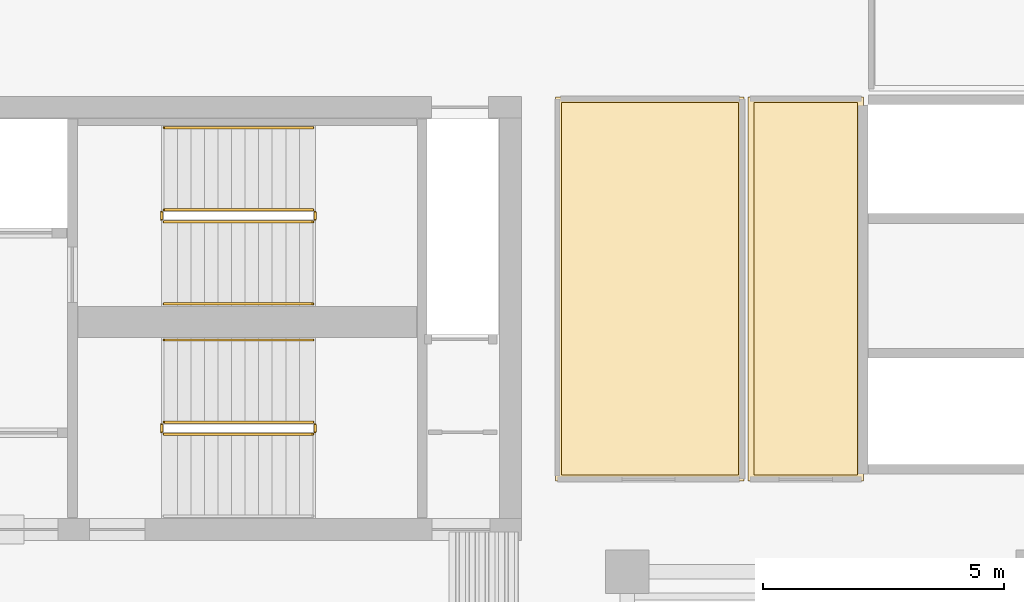
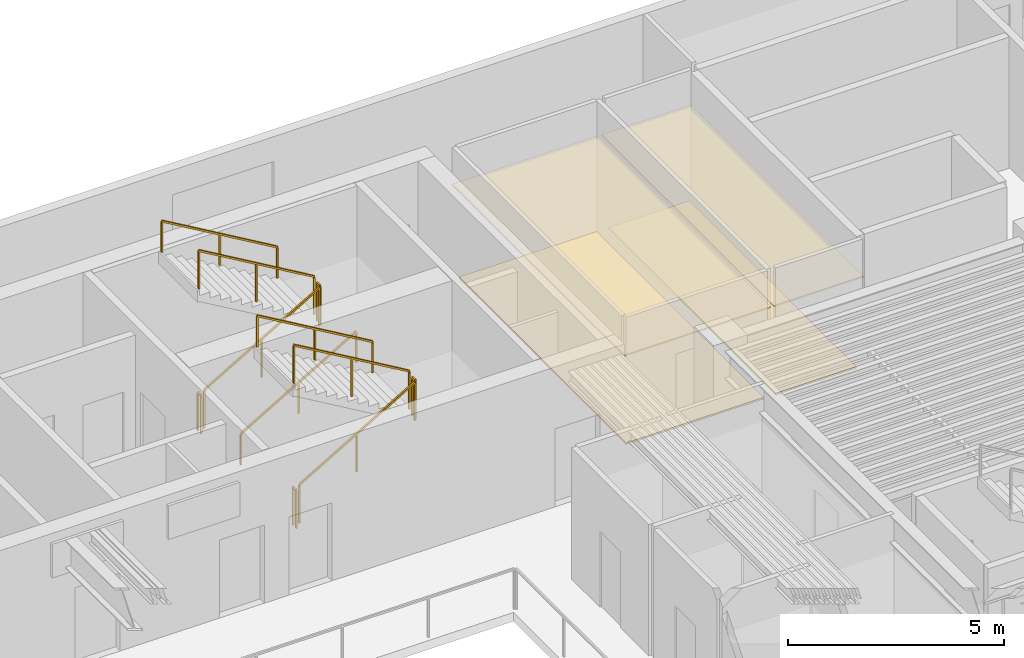
# One storey, part 9 of 10: 11 railings, 4 coverings.
"""IFC4 building model written with IfcOpenShell, lengths in metres."""

import ifcopenshell
import ifcopenshell.guid

model = None  # the IFC model being written
_history = None  # IfcOwnerHistory: only IFC2X3 demands one
_inside = {}  # id of a spatial element -> (the spatial element, [elements in it])
_under = {}  # id of a project, library or spatial element -> (it, [spatial elements below it])
_declared = {}  # id of a project -> (the project, [libraries it declares])
_typed = {}  # id of a type object -> (the type object, [elements of that type])
_made_of = {}  # id of a material, layer set ... -> (it, [elements and type objects made of it])


def new_model(schema):
    """Start an empty IFC model of exactly this schema.

    Asked for "IFC4X3", IfcOpenShell would pick the latest addendum, in which some entities
    have other attributes; the version numbers below select the first issue.
    IFC2X3 requires an IfcOwnerHistory on every rooted entity: one is made here for all.
    """
    global model, _history
    if schema == "IFC4X3":
        model = ifcopenshell.file(schema_version=(4, 3, 0, 0))
    else:
        model = ifcopenshell.file(schema=schema)
    _inside.clear()
    _under.clear()
    _declared.clear()
    _typed.clear()
    _made_of.clear()
    _history = None
    if model.schema == "IFC2X3":
        org = make("IfcOrganization", Name="unknown")
        user = make(
            "IfcPersonAndOrganization",
            ThePerson=make("IfcPerson", FamilyName="unknown"),
            TheOrganization=org,
        )
        app = make(
            "IfcApplication",
            ApplicationDeveloper=org,
            Version="unknown",
            ApplicationFullName="unknown",
            ApplicationIdentifier="unknown",
        )
        _history = make(
            "IfcOwnerHistory",
            OwningUser=user,
            OwningApplication=app,
            ChangeAction="ADDED",
            CreationDate=0,
        )
    return model


def make(cls, **values):
    """One entity of the class cls with the attributes given. An attribute that is None is left unset."""
    return model.create_entity(
        cls, **{name: value for name, value in values.items() if value is not None}
    )


def rooted(cls, **values):
    """An entity with a GlobalId (a new one), such as an element, a storey or a relation."""
    return make(cls, GlobalId=ifcopenshell.guid.new(), OwnerHistory=_history, **values)


def si_unit(unit_type, name, prefix=None):
    """IfcSIUnit, for example si_unit("LENGTHUNIT", "METRE", prefix="MILLI")."""
    return make("IfcSIUnit", UnitType=unit_type, Prefix=prefix, Name=name)


def assignment(units):
    """IfcUnitAssignment: the units of a project."""
    return None if units is None else make("IfcUnitAssignment", Units=units)


def point(xyz):
    """IfcCartesianPoint."""
    return None if xyz is None else make("IfcCartesianPoint", Coordinates=xyz)


def direction(xyz):
    """IfcDirection."""
    return None if xyz is None else make("IfcDirection", DirectionRatios=xyz)


def frame(location, z_axis=None, x_axis=None):
    """IfcAxis2Placement3D, a coordinate frame: its origin and axes. An axis left out is left unset."""
    return make(
        "IfcAxis2Placement3D",
        Location=point(location),
        Axis=direction(z_axis),
        RefDirection=direction(x_axis),
    )


def frame_2d(location, x_axis=None):
    """IfcAxis2Placement2D, a coordinate frame in the plane: its origin and x axis."""
    return make(
        "IfcAxis2Placement2D", Location=point(location), RefDirection=direction(x_axis)
    )


def origin():
    """The frame at (0, 0, 0) with its axes left unset."""
    return frame((0.0, 0.0, 0.0))


def origin_2d():
    """The frame at (0, 0) in the plane with its x axis left unset."""
    return frame_2d((0.0, 0.0))


def place(relative_to, where):
    """IfcLocalPlacement: puts the frame where relative to a parent placement (None: the world)."""
    return make(
        "IfcLocalPlacement", PlacementRelTo=relative_to, RelativePlacement=where
    )


def context(
    kind, dimensions, precision=None, world=None, true_north=None, identifier=None
):
    """IfcGeometricRepresentationContext, for example the 3D "Model" context."""
    return make(
        "IfcGeometricRepresentationContext",
        ContextIdentifier=identifier,
        ContextType=kind,
        CoordinateSpaceDimension=dimensions,
        Precision=precision,
        WorldCoordinateSystem=world,
        TrueNorth=true_north,
    )


def subcontext(parent, identifier, kind, view, scale=None):
    """IfcGeometricRepresentationSubContext, for example "Body" below "Model"."""
    return make(
        "IfcGeometricRepresentationSubContext",
        ContextIdentifier=identifier,
        ContextType=kind,
        ParentContext=parent,
        TargetScale=scale,
        TargetView=view,
    )


def project(units=None, contexts=None):
    """IfcProject with its units and contexts."""
    return rooted(
        "IfcProject",
        Name="project",
        RepresentationContexts=contexts,
        UnitsInContext=assignment(units),
    )


def spatial(cls, under=None, at=None, **own):
    """A site, building, storey or space (cls), placed at a placement, below another one or the project."""
    s = rooted(cls, ObjectPlacement=at, **own)
    if under is not None:
        _under.setdefault(under.id(), (under, []))[1].append(s)
    return s


def polyline(points):
    """IfcPolyline through the points."""
    return make("IfcPolyline", Points=[point(p) for p in points])


def profile(cls, at=None, kind="AREA", **sizes):
    """A parametric profile (cls). Its sizes go by their IFC names, for example OverallWidth=200.0."""
    return make(cls, ProfileType=kind, Position=at, **sizes)


def rectangle(**sizes):
    """IfcRectangleProfileDef."""
    return profile("IfcRectangleProfileDef", **sizes)


def outline(outer, holes=None, kind="AREA"):
    """IfcArbitraryClosedProfileDef: a profile drawn as a closed curve; with holes, ...WithVoids."""
    if holes is None:
        return make("IfcArbitraryClosedProfileDef", ProfileType=kind, OuterCurve=outer)
    return make(
        "IfcArbitraryProfileDefWithVoids",
        ProfileType=kind,
        OuterCurve=outer,
        InnerCurves=holes,
    )


def extrude(swept, where, along, depth):
    """IfcExtrudedAreaSolid: the profile swept, set in the frame where, extruded along a direction by depth."""
    return make(
        "IfcExtrudedAreaSolid",
        SweptArea=swept,
        Position=where,
        ExtrudedDirection=direction(along),
        Depth=depth,
    )


def shape(context_of_items, identifier, shape_type, items):
    """IfcShapeRepresentation: the items that make up one representation, for example the "Body"."""
    return make(
        "IfcShapeRepresentation",
        ContextOfItems=context_of_items,
        RepresentationIdentifier=identifier,
        RepresentationType=shape_type,
        Items=items,
    )


def material(Name=None, Category=None):
    """IfcMaterial."""
    return make("IfcMaterial", Name=Name, Category=Category)


def layer(
    of_material, thickness, ventilated=None, Name=None, Category=None, Priority=None
):
    """IfcMaterialLayer: one layer of a wall or slab, of a material (None: an air gap)."""
    return make(
        "IfcMaterialLayer",
        Material=of_material,
        LayerThickness=thickness,
        IsVentilated=ventilated,
        Name=Name,
        Category=Category,
        Priority=Priority,
    )


def layer_set(layers, Name=None):
    """IfcMaterialLayerSet."""
    return make("IfcMaterialLayerSet", MaterialLayers=layers, LayerSetName=Name)


def made_of(thing, what):
    """Note that an element or type object is made of a material, layer set ...; save() writes the relation."""
    if what is not None:
        _made_of.setdefault(what.id(), (what, []))[1].append(thing)
    return thing


def type_object(cls, material=None, **own):
    """A type object (cls), such as IfcWallType, which elements share."""
    return made_of(rooted(cls, **own), material)


def element(
    cls,
    number,
    at=None,
    inside=None,
    cuts=None,
    type_object=None,
    material=None,
    context=None,
    identifier="Body",
    shape_type=None,
    held_by="IfcProductDefinitionShape",
    body=None,
    shapes=None,
    **own,
):
    """One element of the class cls, such as IfcWall. Its Tag is "e" and its number.

    at: its placement. inside: the storey or other place that contains it. cuts: it is an
    opening in that element (IfcRelVoidsElement). A single representation is given by context,
    identifier, shape_type and body (its items); several are given by shapes. held_by: the class
    of the entity that holds the representations. save() writes the other relations.
    """
    e = rooted(cls, Tag="e%d" % number, ObjectPlacement=at, **own)
    if body is not None:
        shapes = [shape(context, identifier, shape_type, body)]
    if shapes is not None:
        e.Representation = make(held_by, Representations=shapes)
    if inside is not None:
        _inside.setdefault(inside.id(), (inside, []))[1].append(e)
    if cuts is not None:
        rooted(
            "IfcRelVoidsElement", RelatingBuildingElement=cuts, RelatedOpeningElement=e
        )
    if type_object is not None:
        _typed.setdefault(type_object.id(), (type_object, []))[1].append(e)
    return made_of(e, material)


def aggregate(whole, parts):
    """IfcRelAggregates: a whole, such as a stair, and the parts it consists of."""
    return rooted("IfcRelAggregates", RelatingObject=whole, RelatedObjects=parts)


def save(model, path):
    """Write the relations noted so far, then the file.

    IfcRelAggregates (storeys below a building ...), IfcRelContainedInSpatialStructure (elements
    in a storey), IfcRelDefinesByType, IfcRelAssociatesMaterial and IfcRelDeclares: one each for
    every whole, place, type object, material and project.
    """
    for whole, parts in _under.values():
        aggregate(whole, parts)
    for where, things in _inside.values():
        rooted(
            "IfcRelContainedInSpatialStructure",
            RelatedElements=things,
            RelatingStructure=where,
        )
    for kind, things in _typed.values():
        rooted("IfcRelDefinesByType", RelatedObjects=things, RelatingType=kind)
    for what, things in _made_of.values():
        rooted("IfcRelAssociatesMaterial", RelatedObjects=things, RelatingMaterial=what)
    for by, libraries in _declared.values():
        rooted("IfcRelDeclares", RelatingContext=by, RelatedDefinitions=libraries)
    model.write(path)


model = new_model("IFC4")

# Units and contexts
model_context = context("Model", 3, precision=1e-05, world=origin(), true_north=direction((0.0, 1.0)))
body_context = subcontext(model_context, "Body", "Model", "MODEL_VIEW")
ifc_project = project(units=[si_unit("LENGTHUNIT", "METRE"), si_unit("AREAUNIT", "SQUARE_METRE"), si_unit("VOLUMEUNIT", "CUBIC_METRE"), si_unit("PLANEANGLEUNIT", "RADIAN"), si_unit("MASSUNIT", "GRAM", prefix="KILO")], contexts=[model_context])

# Site, building, storey
site_placement = place(None, origin())
site = spatial("IfcSite", under=ifc_project, at=site_placement, CompositionType="ELEMENT")
building_placement = place(site_placement, origin())
building = spatial("IfcBuilding", under=site, at=building_placement, Name="Caeloran Harvest Quay", CompositionType="ELEMENT")
storey_placement = place(building_placement, frame((0.0, 0.0, 183.75)))
storey = spatial("IfcBuildingStorey", under=building, at=storey_placement, Name="L43", CompositionType="ELEMENT", Elevation=183.75)

# Coverings
ifc_material_1 = material(Name="Perforated Mineral-Fibre Acoustic Ceiling Tile", Category="ceiling")
ifc_layer_1 = layer(ifc_material_1, 0.0400390625, Name="Perforated Mineral-Fibre Acoustic Ceiling Tile")
ifc_layer_set_1 = layer_set([ifc_layer_1], Name="Perforated Mineral-Fibre Acoustic Ceiling Tile")
covering_type_1 = type_object("IfcCoveringType", Name="COV-CEILING-ACOUSTIC", PredefinedType="CEILING", material=ifc_layer_set_1)
covering_1_placement = place(storey_placement, frame((0.0, 0.0, 2.60009765625)))
element("IfcCovering", 1, at=covering_1_placement, inside=storey, type_object=covering_type_1, Name="L43 Crop Phenotyping West Laboratory Acoustic Ceiling", PredefinedType="CEILING", context=body_context, shape_type="SweptSolid", body=[
    extrude(outline(polyline([(27.919921875, 40.840087890625), (27.919921875, 32.8798828125), (24.010009765625, 32.8798828125), (24.010009765625, 40.840087890625), (27.919921875, 40.840087890625)])), origin(), (0.0, 0.0, 1.0), 0.039794921875),
])
covering_2_placement = place(storey_placement, frame((0.0, 0.0, 2.60009765625)))
element("IfcCovering", 2, at=covering_2_placement, inside=storey, type_object=covering_type_1, Name="L43 Genomics Sequencing East Studio Acoustic Ceiling", PredefinedType="CEILING", context=body_context, shape_type="SweptSolid", body=[
    extrude(outline(polyline([(30.389892578125, 40.840087890625), (30.389892578125, 32.8798828125), (28.0, 32.8798828125), (28.0, 40.840087890625), (30.389892578125, 40.840087890625)])), origin(), (0.0, 0.0, 1.0), 0.039794921875),
])
ifc_material_2 = material(Name="Calcium-Sulphate Raised Access Floor and Terrazzo Finish", Category="flooring")
ifc_layer_2 = layer(ifc_material_2, 0.050048828125, Name="Calcium-Sulphate Raised Access Floor and Terrazzo Finish")
ifc_layer_set_2 = layer_set([ifc_layer_2], Name="Calcium-Sulphate Raised Access Floor and Terrazzo Finish")
covering_type_2 = type_object("IfcCoveringType", Name="COV-FLOOR-RAISED", PredefinedType="FLOORING", material=ifc_layer_set_2)
covering_3_placement = place(storey_placement, origin())
element("IfcCovering", 3, at=covering_3_placement, inside=storey, type_object=covering_type_2, Name="L43 Crop Phenotyping West Laboratory Raised Finish Flooring", PredefinedType="FLOORING", context=body_context, shape_type="SweptSolid", body=[
    extrude(outline(polyline([(27.800048828125, 40.719970703125), (27.800048828125, 33.0), (24.1298828125, 33.0), (24.1298828125, 40.719970703125), (27.800048828125, 40.719970703125)])), origin(), (0.0, 0.0, 1.0), 0.050048828125),
])
covering_4_placement = place(storey_placement, origin())
element("IfcCovering", 4, at=covering_4_placement, inside=storey, type_object=covering_type_2, Name="L43 Genomics Sequencing East Studio Raised Finish Flooring", PredefinedType="FLOORING", context=body_context, shape_type="SweptSolid", body=[
    extrude(outline(polyline([(30.27001953125, 40.719970703125), (30.27001953125, 33.0), (28.1201171875, 33.0), (28.1201171875, 40.719970703125), (30.27001953125, 40.719970703125)])), origin(), (0.0, 0.0, 1.0), 0.050048828125),
])

# Railings
ifc_material_3 = material(Name="Painted Steel Baluster and Top-Rail Stair Guard", Category="steel")
ifc_layer_3 = layer(ifc_material_3, 0.050048828125, Name="Painted Steel Baluster and Top-Rail Stair Guard")
ifc_layer_set_3 = layer_set([ifc_layer_3], Name="Painted Steel Baluster and Top-Rail Stair Guard")
railing_type_1 = type_object("IfcRailingType", Name="STAIR-GUARD-1100", PredefinedType="GUARDRAIL", material=ifc_layer_set_3)
railing_1_placement = place(storey_placement, frame((15.89990234375, 38.25, 0.16455078125)))
element("IfcRailing", 5, at=railing_1_placement, inside=storey, type_object=railing_type_1, Name="L43 ST-C1 stair guard 1", PredefinedType="GUARDRAIL", context=body_context, shape_type="SweptSolid", body=[
    extrude(rectangle(XDim=0.048095703125, YDim=0.048095703125, at=origin_2d()), frame((0.0, 0.0, 1.076171875), z_axis=(0.862088758681, 0.0, 0.506757310905), x_axis=(0.0, 1.0, 0.0)), (0.0, 0.0, 1.0), 3.57275390625),
    extrude(rectangle(XDim=0.0419921875, YDim=0.0419921875, at=origin_2d()), origin(), (0.0, 0.0, 1.0), 1.052001953125),
    extrude(rectangle(XDim=0.0419921875, YDim=0.0419921875, at=origin_2d()), frame((1.5400390625, 0.0, 0.9052734375)), (0.0, 0.0, 1.0), 1.052001953125),
    extrude(rectangle(XDim=0.0419921875, YDim=0.0419921875, at=origin_2d()), frame((3.080078125, 0.0, 1.810546875)), (0.0, 0.0, 1.0), 1.052001953125),
])
railing_2_placement = place(storey_placement, frame((19.030029296875, 38.300048828125, 1.97509765625)))
element("IfcRailing", 6, at=railing_2_placement, inside=storey, type_object=railing_type_1, Name="L43 ST-C1 stair guard 2", PredefinedType="GUARDRAIL", context=body_context, shape_type="SweptSolid", body=[
    extrude(rectangle(XDim=0.048095703125, YDim=0.048095703125, at=origin_2d()), frame((0.0, 0.0, 1.076171875), z_axis=(0.0, 1.0, 0.0), x_axis=(-1.0, 0.0, 0.0)), (0.0, 0.0, 1.0), 0.14990234375),
    extrude(rectangle(XDim=0.0419921875, YDim=0.0419921875, at=origin_2d()), origin(), (0.0, 0.0, 1.0), 1.052001953125),
    extrude(rectangle(XDim=0.0419921875, YDim=0.0419921875, at=origin_2d()), frame((0.0, 0.14990234375, 0.0)), (0.0, 0.0, 1.0), 1.052001953125),
])
railing_3_placement = place(storey_placement, frame((18.97998046875, 38.5, 2.1396484375)))
element("IfcRailing", 7, at=railing_3_placement, inside=storey, type_object=railing_type_1, Name="L43 ST-C1 stair guard 3", PredefinedType="GUARDRAIL", context=body_context, shape_type="SweptSolid", body=[
    extrude(rectangle(XDim=0.048095703125, YDim=0.048095703125, at=origin_2d()), frame((0.0, 0.0, 1.076171875), z_axis=(-0.862118610829, 0.0, 0.506706523406), x_axis=(0.0, -1.0, 0.0)), (0.0, 0.0, 1.0), 3.57275390625),
    extrude(rectangle(XDim=0.0419921875, YDim=0.0419921875, at=origin_2d()), origin(), (0.0, 0.0, 1.0), 1.052001953125),
    extrude(rectangle(XDim=0.0419921875, YDim=0.0419921875, at=origin_2d()), frame((-1.5400390625, 0.0, 0.9052734375)), (0.0, 0.0, 1.0), 1.052001953125),
    extrude(rectangle(XDim=0.0419921875, YDim=0.0419921875, at=origin_2d()), frame((-3.080078125, 0.0, 1.810302734375)), (0.0, 0.0, 1.0), 1.052001953125),
])
railing_4_placement = place(storey_placement, frame((15.85009765625, 38.300048828125, 0.0)))
element("IfcRailing", 8, at=railing_4_placement, inside=storey, type_object=railing_type_1, Name="L43 ST-C1 stair guard 4", PredefinedType="GUARDRAIL", context=body_context, shape_type="SweptSolid", body=[
    extrude(rectangle(XDim=0.048095703125, YDim=0.048095703125, at=origin_2d()), frame((0.0, 0.0, 1.076171875), z_axis=(0.0, 1.0, 0.0), x_axis=(-1.0, 0.0, 0.0)), (0.0, 0.0, 1.0), 0.14990234375),
    extrude(rectangle(XDim=0.0419921875, YDim=0.0419921875, at=origin_2d()), origin(), (0.0, 0.0, 1.0), 1.052001953125),
    extrude(rectangle(XDim=0.0419921875, YDim=0.0419921875, at=origin_2d()), frame((0.0, 0.14990234375, 0.0)), (0.0, 0.0, 1.0), 1.052001953125),
])
railing_5_placement = place(storey_placement, frame((15.89990234375, 33.85009765625, 0.16455078125)))
element("IfcRailing", 9, at=railing_5_placement, inside=storey, type_object=railing_type_1, Name="L43 ST-C2 stair guard 1", PredefinedType="GUARDRAIL", context=body_context, shape_type="SweptSolid", body=[
    extrude(rectangle(XDim=0.048095703125, YDim=0.048095703125, at=origin_2d()), frame((0.0, 0.0, 1.076171875), z_axis=(0.862088758681, 0.0, 0.506757310905), x_axis=(0.0, 1.0, 0.0)), (0.0, 0.0, 1.0), 3.57275390625),
    extrude(rectangle(XDim=0.0419921875, YDim=0.0419921875, at=origin_2d()), origin(), (0.0, 0.0, 1.0), 1.052001953125),
    extrude(rectangle(XDim=0.0419921875, YDim=0.0419921875, at=origin_2d()), frame((1.5400390625, 0.0, 0.9052734375)), (0.0, 0.0, 1.0), 1.052001953125),
    extrude(rectangle(XDim=0.0419921875, YDim=0.0419921875, at=origin_2d()), frame((3.080078125, 0.0, 1.810546875)), (0.0, 0.0, 1.0), 1.052001953125),
])
railing_6_placement = place(storey_placement, frame((19.030029296875, 33.89990234375, 1.97509765625)))
element("IfcRailing", 10, at=railing_6_placement, inside=storey, type_object=railing_type_1, Name="L43 ST-C2 stair guard 2", PredefinedType="GUARDRAIL", context=body_context, shape_type="SweptSolid", body=[
    extrude(rectangle(XDim=0.048095703125, YDim=0.048095703125, at=origin_2d()), frame((0.0, 0.0, 1.076171875), z_axis=(0.0, 1.0, 0.0), x_axis=(-1.0, 0.0, 0.0)), (0.0, 0.0, 1.0), 0.150146484375),
    extrude(rectangle(XDim=0.0419921875, YDim=0.0419921875, at=origin_2d()), origin(), (0.0, 0.0, 1.0), 1.052001953125),
    extrude(rectangle(XDim=0.0419921875, YDim=0.0419921875, at=origin_2d()), frame((0.0, 0.150146484375, 0.0)), (0.0, 0.0, 1.0), 1.052001953125),
])
railing_7_placement = place(storey_placement, frame((18.97998046875, 34.10009765625, 2.1396484375)))
element("IfcRailing", 11, at=railing_7_placement, inside=storey, type_object=railing_type_1, Name="L43 ST-C2 stair guard 3", PredefinedType="GUARDRAIL", context=body_context, shape_type="SweptSolid", body=[
    extrude(rectangle(XDim=0.048095703125, YDim=0.048095703125, at=origin_2d()), frame((0.0, 0.0, 1.076171875), z_axis=(-0.862118610829, 0.0, 0.506706523406), x_axis=(0.0, -1.0, 0.0)), (0.0, 0.0, 1.0), 3.57275390625),
    extrude(rectangle(XDim=0.0419921875, YDim=0.0419921875, at=origin_2d()), origin(), (0.0, 0.0, 1.0), 1.052001953125),
    extrude(rectangle(XDim=0.0419921875, YDim=0.0419921875, at=origin_2d()), frame((-1.5400390625, 0.0, 0.9052734375)), (0.0, 0.0, 1.0), 1.052001953125),
    extrude(rectangle(XDim=0.0419921875, YDim=0.0419921875, at=origin_2d()), frame((-3.080078125, 0.0, 1.810302734375)), (0.0, 0.0, 1.0), 1.052001953125),
])
railing_8_placement = place(storey_placement, frame((15.85009765625, 33.89990234375, 0.0)))
element("IfcRailing", 12, at=railing_8_placement, inside=storey, type_object=railing_type_1, Name="L43 ST-C2 stair guard 4", PredefinedType="GUARDRAIL", context=body_context, shape_type="SweptSolid", body=[
    extrude(rectangle(XDim=0.048095703125, YDim=0.048095703125, at=origin_2d()), frame((0.0, 0.0, 1.076171875), z_axis=(0.0, 1.0, 0.0), x_axis=(-1.0, 0.0, 0.0)), (0.0, 0.0, 1.0), 0.150146484375),
    extrude(rectangle(XDim=0.0419921875, YDim=0.0419921875, at=origin_2d()), origin(), (0.0, 0.0, 1.0), 1.052001953125),
    extrude(rectangle(XDim=0.0419921875, YDim=0.0419921875, at=origin_2d()), frame((0.0, 0.150146484375, 0.0)), (0.0, 0.0, 1.0), 1.052001953125),
])
ifc_material_4 = material(Name="Brushed Stainless Steel Grade 304", Category="steel")
ifc_layer_4 = layer(ifc_material_4, 0.050048828125, Name="Brushed Stainless Steel Grade 304")
ifc_layer_set_4 = layer_set([ifc_layer_4], Name="Brushed Stainless Steel Grade 304")
railing_type_2 = type_object("IfcRailingType", Name="STAIR-HANDRAIL-900", PredefinedType="HANDRAIL", material=ifc_layer_set_4)
railing_9_placement = place(storey_placement, frame((15.89990234375, 36.550048828125, 0.16455078125)))
element("IfcRailing", 13, at=railing_9_placement, inside=storey, type_object=railing_type_2, Name="L43 ST-C1 stair handrail 1", PredefinedType="HANDRAIL", context=body_context, shape_type="SweptSolid", body=[
    extrude(rectangle(XDim=0.048095703125, YDim=0.048095703125, at=origin_2d()), frame((0.0, 0.0, 0.8759765625), z_axis=(0.862088758681, 0.0, 0.506757310905), x_axis=(0.0, 1.0, 0.0)), (0.0, 0.0, 1.0), 3.57275390625),
    extrude(rectangle(XDim=0.0419921875, YDim=0.0419921875, at=origin_2d()), origin(), (0.0, 0.0, 1.0), 0.851806640625),
    extrude(rectangle(XDim=0.0419921875, YDim=0.0419921875, at=origin_2d()), frame((1.5400390625, 0.0, 0.9052734375)), (0.0, 0.0, 1.0), 0.851806640625),
    extrude(rectangle(XDim=0.0419921875, YDim=0.0419921875, at=origin_2d()), frame((3.080078125, 0.0, 1.810546875)), (0.0, 0.0, 1.0), 0.851806640625),
])
for number, where, name in (
    (14, (18.97998046875, 40.199951171875, 2.1396484375), "L43 ST-C1 stair handrail 2"),
    (15, (18.97998046875, 35.800048828125, 2.1396484375), "L43 ST-C2 stair handrail 2"),
):
    element("IfcRailing", number, at=place(storey_placement, frame(where)), inside=storey, type_object=railing_type_2, Name=name, PredefinedType="HANDRAIL", context=body_context, shape_type="SweptSolid", body=[
        extrude(rectangle(XDim=0.048095703125, YDim=0.048095703125, at=origin_2d()), frame((0.0, 0.0, 0.8759765625), z_axis=(-0.862118610829, 0.0, 0.506706523406), x_axis=(0.0, -1.0, 0.0)), (0.0, 0.0, 1.0), 3.57275390625),
        extrude(rectangle(XDim=0.0419921875, YDim=0.0419921875, at=origin_2d()), origin(), (0.0, 0.0, 1.0), 0.851806640625),
        extrude(rectangle(XDim=0.0419921875, YDim=0.0419921875, at=origin_2d()), frame((-1.5400390625, 0.0, 0.9052734375)), (0.0, 0.0, 1.0), 0.851806640625),
        extrude(rectangle(XDim=0.0419921875, YDim=0.0419921875, at=origin_2d()), frame((-3.080078125, 0.0, 1.810302734375)), (0.0, 0.0, 1.0), 0.851806640625),
    ])

save(model, "model.ifc")
